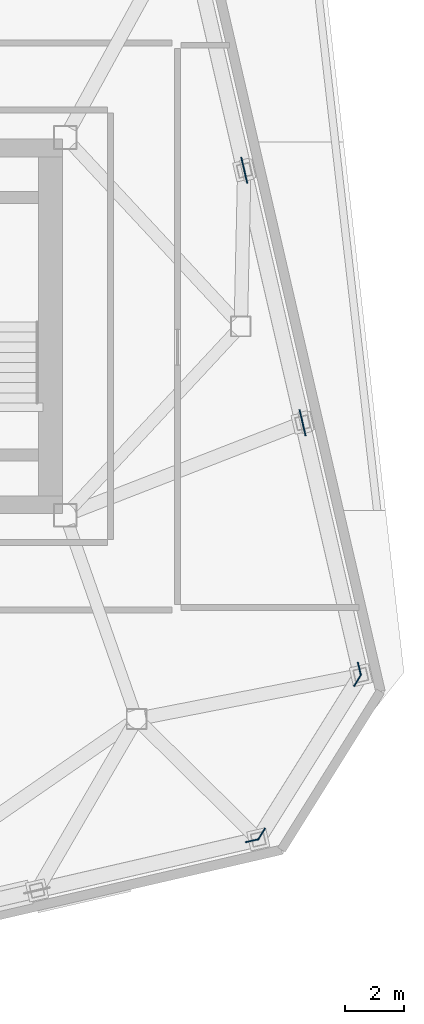
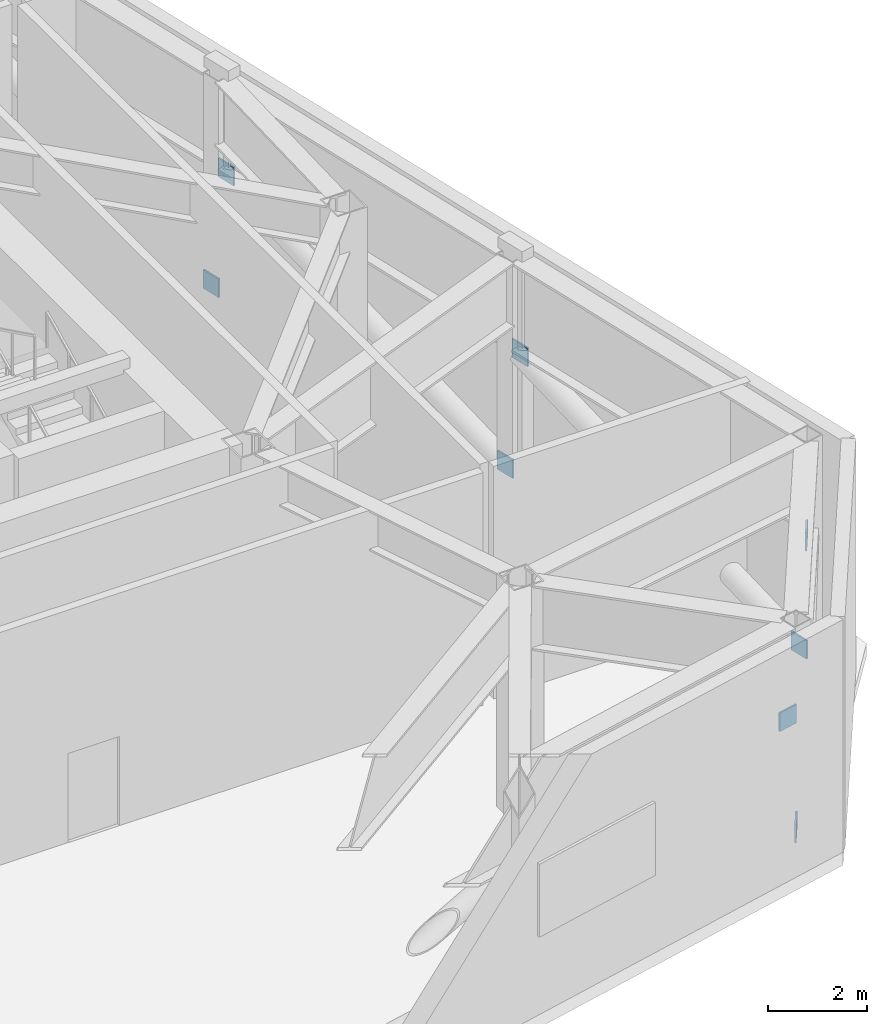
# One storey, part 14 of 15: 8 discrete accessories.
"""IFC4 building model written with IfcOpenShell, lengths in metres."""

from ifc_helpers import new_model, si_unit, direction, frame, origin, origin_2d, place, context, subcontext, project, spatial, rectangle, extrude, material, type_object, element, save


model = new_model("IFC4")

# Units and contexts
model_context = context("Model", 3, precision=1e-05, world=origin(), true_north=direction((0.0, 1.0)))
body_context = subcontext(model_context, "Body", "Model", "MODEL_VIEW")
ifc_project = project(units=[si_unit("LENGTHUNIT", "METRE"), si_unit("AREAUNIT", "SQUARE_METRE"), si_unit("VOLUMEUNIT", "CUBIC_METRE"), si_unit("PLANEANGLEUNIT", "RADIAN"), si_unit("MASSUNIT", "GRAM", prefix="KILO")], contexts=[model_context])

# Site, building, storey
site_placement = place(None, origin())
site = spatial("IfcSite", under=ifc_project, at=site_placement, CompositionType="ELEMENT")
building_placement = place(site_placement, origin())
building = spatial("IfcBuilding", under=site, at=building_placement, Name="Tavrogorsk Clinical Tower", CompositionType="ELEMENT")
storey_placement = place(building_placement, frame((0.0, 0.0, 271.0)))
storey = spatial("IfcBuildingStorey", under=building, at=storey_placement, Name="L63", CompositionType="ELEMENT", Elevation=271.0)

# Discrete accessories
ifc_material = material(Name="Structural steel S440", Category="steel")
discrete_accessory_type = type_object("IfcDiscreteAccessoryType", Name="GussetPlateBracket_25", PredefinedType="BRACKET", material=ifc_material)
for number, where, z_axis, x_axis, name in (
    (1, (28.378662109375, -17.29345703125, 3.17138671875), (0.0, 0.0, 1.0), (0.974370064785, 0.224951054344, 0.0), "L63 Brace Gusset Plate EXOBELT-L63-07-B"),
    (2, (28.69970703125, -17.06689453125, 0.22119140625), (0.0, 0.0, 1.0), (0.529919264233, 0.848048096156, 0.0), "L63 Brace Gusset Plate EXOBELT-L63-08-A"),
    (3, (31.9248046875, -11.906005859375, 3.15869140625), (0.0, 0.0, 1.0), (0.529919264233, 0.848048096156, 0.0), "L63 Brace Gusset Plate EXOBELT-L63-08-B"),
    (4, (31.986572265625, -11.5146484375, 0.198974609375), (0.0, 0.0, 1.0), (-0.224951054344, 0.974370064785, 0.0), "L63 Brace Gusset Plate EXOBELT-L63-09-A"),
    (5, (30.1259765625, -3.454833984375, 3.180908203125), (0.0, 0.0, 1.0), (-0.224951054344, 0.974370064785, 0.0), "L63 Brace Gusset Plate EXOBELT-L63-09-B"),
    (6, (30.02734375, -3.02783203125, 0.198974609375), (0.0, 0.0, 1.0), (-0.224951054344, 0.974370064785, 0.0), "L63 Brace Gusset Plate EXOBELT-L63-10-A"),
    (7, (28.16650390625, 5.031982421875, 3.180908203125), (0.0, 0.0, 1.0), (-0.224951054344, 0.974370064785, 0.0), "L63 Brace Gusset Plate EXOBELT-L63-10-B"),
    (8, (28.06787109375, 5.458984375, 0.198974609375), (0.0, 0.0, 1.0), (-0.224951054344, 0.974370064785, 0.0), "L63 Brace Gusset Plate EXOBELT-L63-11-A"),
):
    element("IfcDiscreteAccessory", number, at=place(storey_placement, frame(where, z_axis=z_axis, x_axis=x_axis)), inside=storey, type_object=discrete_accessory_type, Name=name, PredefinedType="BRACKET", context=body_context, shape_type="SweptSolid", body=[
        extrude(rectangle(XDim=0.4599609375, YDim=0.0400390625, at=origin_2d()), origin(), (0.0, 0.0, 1.0), 0.4599609375),
    ])

save(model, "model.ifc")
